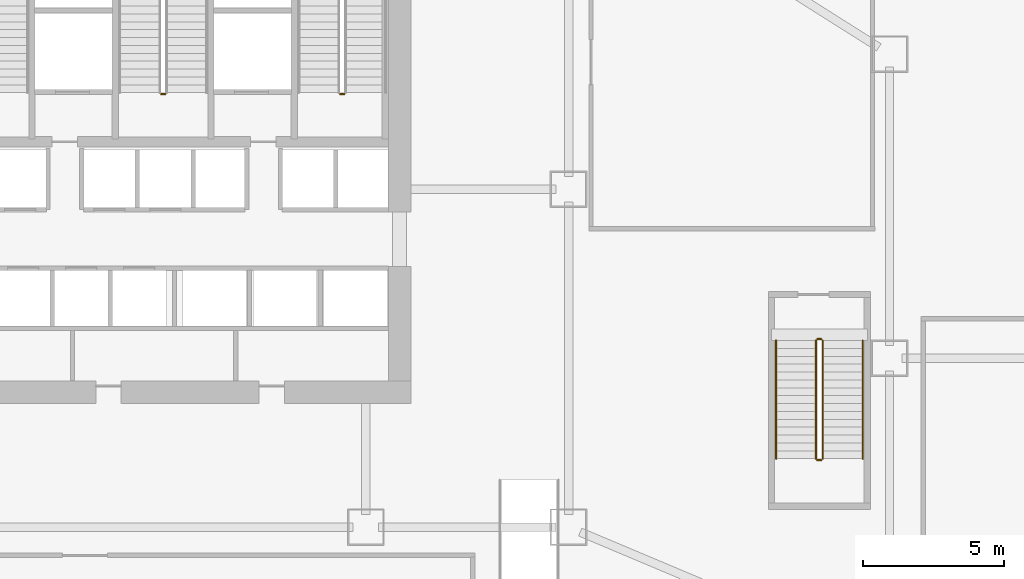
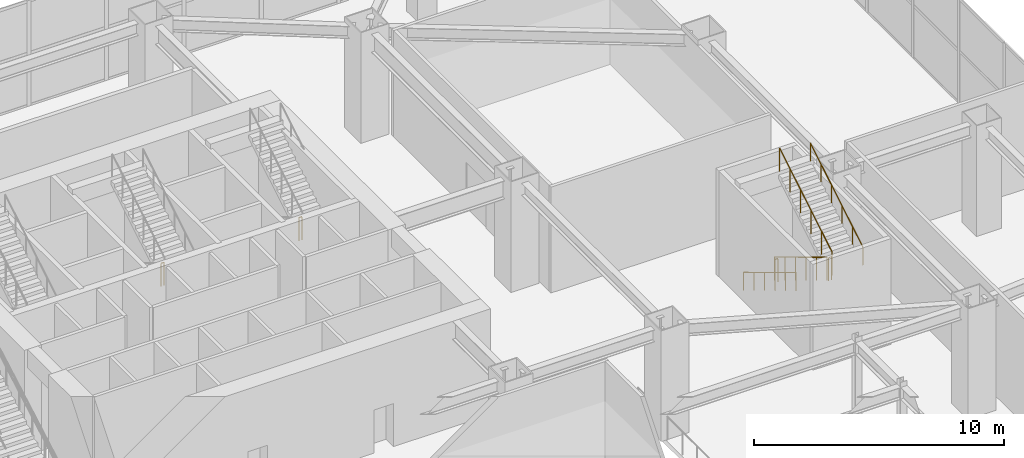
# One storey, part 34 of 37: 8 railings.
"""IFC4 building model written with IfcOpenShell, lengths in metres."""

from ifc_helpers import new_model, si_unit, direction, frame, origin, origin_2d, place, context, subcontext, project, spatial, circle, extrude, material, type_object, element, save


model = new_model("IFC4")

# Units and contexts
model_context = context("Model", 3, precision=1e-05, world=origin(), true_north=direction((0.0, 1.0)))
body_context = subcontext(model_context, "Body", "Model", "MODEL_VIEW")
ifc_project = project(units=[si_unit("LENGTHUNIT", "METRE"), si_unit("AREAUNIT", "SQUARE_METRE"), si_unit("VOLUMEUNIT", "CUBIC_METRE"), si_unit("PLANEANGLEUNIT", "RADIAN"), si_unit("MASSUNIT", "GRAM", prefix="KILO")], contexts=[model_context])

# Site, building, storey
site_placement = place(None, origin())
site = spatial("IfcSite", under=ifc_project, at=site_placement, CompositionType="ELEMENT")
building_placement = place(site_placement, origin())
building = spatial("IfcBuilding", under=site, at=building_placement, Name="Haolan Belvedere Tower", CompositionType="ELEMENT")
storey_placement = place(building_placement, frame((0.0, 0.0, 10.199951171875)))
storey = spatial("IfcBuildingStorey", under=building, at=storey_placement, Name="L02", CompositionType="ELEMENT", Elevation=10.199951171875)

# Railings
ifc_material = material(Name="Brushed stainless steel 304", Category="steel")
railing_type_1 = type_object("IfcRailingType", Name="RL-STAIR-GRD-1150", PredefinedType="GUARDRAIL", material=ifc_material)
railing_1_placement = place(storey_placement, frame((38.330078125, 36.97998046875, 2.699951171875)))
element("IfcRailing", 1, at=railing_1_placement, inside=storey, type_object=railing_type_1, Name="L02 ST3 stair guard 2", PredefinedType="GUARDRAIL", context=body_context, shape_type="SweptSolid", body=[
    extrude(circle(Radius=0.02392578125, at=origin_2d()), frame((0.0, 0.0, 1.1259765625), z_axis=(1.0, 0.0, 0.0), x_axis=(0.0, 1.0, 0.0)), (0.0, 0.0, 1.0), 0.139892578125),
    extrude(circle(Radius=0.02099609375, at=origin_2d()), origin(), (0.0, 0.0, 1.0), 1.101806640625),
    extrude(circle(Radius=0.02099609375, at=origin_2d()), frame((0.139892578125, 0.0, 0.0)), (0.0, 0.0, 1.0), 1.101806640625),
])
railing_2_placement = place(storey_placement, frame((44.68994140625, 36.97998046875, 2.699951171875)))
element("IfcRailing", 2, at=railing_2_placement, inside=storey, type_object=railing_type_1, Name="L02 ST2 stair guard 2", PredefinedType="GUARDRAIL", context=body_context, shape_type="SweptSolid", body=[
    extrude(circle(Radius=0.02392578125, at=origin_2d()), frame((0.0, 0.0, 1.1259765625), z_axis=(1.0, 0.0, 0.0), x_axis=(0.0, 1.0, 0.0)), (0.0, 0.0, 1.0), 0.14013671875),
    extrude(circle(Radius=0.02099609375, at=origin_2d()), origin(), (0.0, 0.0, 1.0), 1.101806640625),
    extrude(circle(Radius=0.02099609375, at=origin_2d()), frame((0.14013671875, 0.0, 0.0)), (0.0, 0.0, 1.0), 1.101806640625),
])
railing_3_placement = place(storey_placement, frame((61.590087890625, 28.22998046875, 0.168701171875)))
element("IfcRailing", 3, at=railing_3_placement, inside=storey, type_object=railing_type_1, Name="L02 ST5 stair guard 1", PredefinedType="GUARDRAIL", context=body_context, shape_type="SweptSolid", body=[
    extrude(circle(Radius=0.02392578125, at=origin_2d()), frame((0.0, 0.0, 1.1259765625), z_axis=(0.0, -0.856476492594, 0.516186030065), x_axis=(1.0, 0.0, 0.0)), (0.0, 0.0, 1.0), 4.90380859375),
    extrude(circle(Radius=0.02099609375, at=origin_2d()), origin(), (0.0, 0.0, 1.0), 1.101806640625),
    extrude(circle(Radius=0.02099609375, at=origin_2d()), frame((0.0, -0.840087890625, 0.50634765625)), (0.0, 0.0, 1.0), 1.101806640625),
    extrude(circle(Radius=0.02099609375, at=origin_2d()), frame((0.0, -1.679931640625, 1.012451171875)), (0.0, 0.0, 1.0), 1.101806640625),
    extrude(circle(Radius=0.02099609375, at=origin_2d()), frame((0.0, -2.52001953125, 1.518798828125)), (0.0, 0.0, 1.0), 1.101806640625),
    extrude(circle(Radius=0.02099609375, at=origin_2d()), frame((0.0, -3.35986328125, 2.02490234375)), (0.0, 0.0, 1.0), 1.101806640625),
    extrude(circle(Radius=0.02099609375, at=origin_2d()), frame((0.0, -4.199951171875, 2.53125)), (0.0, 0.0, 1.0), 1.101806640625),
])
railing_4_placement = place(storey_placement, frame((61.639892578125, 23.97998046875, 2.699951171875)))
element("IfcRailing", 4, at=railing_4_placement, inside=storey, type_object=railing_type_1, Name="L02 ST5 stair guard 2", PredefinedType="GUARDRAIL", context=body_context, shape_type="SweptSolid", body=[
    extrude(circle(Radius=0.02392578125, at=origin_2d()), frame((0.0, 0.0, 1.1259765625), z_axis=(1.0, 0.0, 0.0), x_axis=(0.0, 1.0, 0.0)), (0.0, 0.0, 1.0), 0.14013671875),
    extrude(circle(Radius=0.02099609375, at=origin_2d()), origin(), (0.0, 0.0, 1.0), 1.101806640625),
    extrude(circle(Radius=0.02099609375, at=origin_2d()), frame((0.14013671875, 0.0, 0.0)), (0.0, 0.0, 1.0), 1.101806640625),
])
railing_5_placement = place(storey_placement, frame((61.830078125, 24.030029296875, 2.868896484375)))
element("IfcRailing", 5, at=railing_5_placement, inside=storey, type_object=railing_type_1, Name="L02 ST5 stair guard 3", PredefinedType="GUARDRAIL", context=body_context, shape_type="SweptSolid", body=[
    extrude(circle(Radius=0.02392578125, at=origin_2d()), frame((0.0, 0.0, 1.1259765625), z_axis=(0.0, 0.856476492594, 0.516186030065), x_axis=(-1.0, 0.0, 0.0)), (0.0, 0.0, 1.0), 4.90380859375),
    extrude(circle(Radius=0.02099609375, at=origin_2d()), origin(), (0.0, 0.0, 1.0), 1.101806640625),
    extrude(circle(Radius=0.02099609375, at=origin_2d()), frame((0.0, 0.840087890625, 0.50634765625)), (0.0, 0.0, 1.0), 1.101806640625),
    extrude(circle(Radius=0.02099609375, at=origin_2d()), frame((0.0, 1.679931640625, 1.012451171875)), (0.0, 0.0, 1.0), 1.101806640625),
    extrude(circle(Radius=0.02099609375, at=origin_2d()), frame((0.0, 2.52001953125, 1.518798828125)), (0.0, 0.0, 1.0), 1.101806640625),
    extrude(circle(Radius=0.02099609375, at=origin_2d()), frame((0.0, 3.35986328125, 2.02490234375)), (0.0, 0.0, 1.0), 1.101806640625),
    extrude(circle(Radius=0.02099609375, at=origin_2d()), frame((0.0, 4.199951171875, 2.53125)), (0.0, 0.0, 1.0), 1.101806640625),
])
railing_6_placement = place(storey_placement, frame((61.639892578125, 28.280029296875, 0.0)))
element("IfcRailing", 6, at=railing_6_placement, inside=storey, type_object=railing_type_1, Name="L02 ST5 stair guard 4", PredefinedType="GUARDRAIL", context=body_context, shape_type="SweptSolid", body=[
    extrude(circle(Radius=0.02392578125, at=origin_2d()), frame((0.0, 0.0, 1.1259765625), z_axis=(1.0, 0.0, 0.0), x_axis=(0.0, 1.0, 0.0)), (0.0, 0.0, 1.0), 0.14013671875),
    extrude(circle(Radius=0.02099609375, at=origin_2d()), origin(), (0.0, 0.0, 1.0), 1.101806640625),
    extrude(circle(Radius=0.02099609375, at=origin_2d()), frame((0.14013671875, 0.0, 0.0)), (0.0, 0.0, 1.0), 1.101806640625),
])
railing_type_2 = type_object("IfcRailingType", Name="RL-STAIR-HND-900", PredefinedType="HANDRAIL", material=ifc_material)
railing_7_placement = place(storey_placement, frame((60.169921875, 28.22998046875, 0.168701171875)))
element("IfcRailing", 7, at=railing_7_placement, inside=storey, type_object=railing_type_2, Name="L02 ST5 stair handrail 1", PredefinedType="HANDRAIL", context=body_context, shape_type="SweptSolid", body=[
    extrude(circle(Radius=0.02392578125, at=origin_2d()), frame((0.0, 0.0, 0.8759765625), z_axis=(0.0, -0.856476492594, 0.516186030065), x_axis=(1.0, 0.0, 0.0)), (0.0, 0.0, 1.0), 4.90380859375),
    extrude(circle(Radius=0.02099609375, at=origin_2d()), origin(), (0.0, 0.0, 1.0), 0.851806640625),
    extrude(circle(Radius=0.02099609375, at=origin_2d()), frame((0.0, -0.840087890625, 0.50634765625)), (0.0, 0.0, 1.0), 0.851806640625),
    extrude(circle(Radius=0.02099609375, at=origin_2d()), frame((0.0, -1.679931640625, 1.012451171875)), (0.0, 0.0, 1.0), 0.851806640625),
    extrude(circle(Radius=0.02099609375, at=origin_2d()), frame((0.0, -2.52001953125, 1.518798828125)), (0.0, 0.0, 1.0), 0.851806640625),
    extrude(circle(Radius=0.02099609375, at=origin_2d()), frame((0.0, -3.35986328125, 2.02490234375)), (0.0, 0.0, 1.0), 0.851806640625),
    extrude(circle(Radius=0.02099609375, at=origin_2d()), frame((0.0, -4.199951171875, 2.53125)), (0.0, 0.0, 1.0), 0.851806640625),
])
railing_8_placement = place(storey_placement, frame((63.25, 24.030029296875, 2.868896484375)))
element("IfcRailing", 8, at=railing_8_placement, inside=storey, type_object=railing_type_2, Name="L02 ST5 stair handrail 2", PredefinedType="HANDRAIL", context=body_context, shape_type="SweptSolid", body=[
    extrude(circle(Radius=0.02392578125, at=origin_2d()), frame((0.0, 0.0, 0.8759765625), z_axis=(0.0, 0.856476492594, 0.516186030065), x_axis=(-1.0, 0.0, 0.0)), (0.0, 0.0, 1.0), 4.90380859375),
    extrude(circle(Radius=0.02099609375, at=origin_2d()), origin(), (0.0, 0.0, 1.0), 0.851806640625),
    extrude(circle(Radius=0.02099609375, at=origin_2d()), frame((0.0, 0.840087890625, 0.50634765625)), (0.0, 0.0, 1.0), 0.851806640625),
    extrude(circle(Radius=0.02099609375, at=origin_2d()), frame((0.0, 1.679931640625, 1.012451171875)), (0.0, 0.0, 1.0), 0.851806640625),
    extrude(circle(Radius=0.02099609375, at=origin_2d()), frame((0.0, 2.52001953125, 1.518798828125)), (0.0, 0.0, 1.0), 0.851806640625),
    extrude(circle(Radius=0.02099609375, at=origin_2d()), frame((0.0, 3.35986328125, 2.02490234375)), (0.0, 0.0, 1.0), 0.851806640625),
    extrude(circle(Radius=0.02099609375, at=origin_2d()), frame((0.0, 4.199951171875, 2.53125)), (0.0, 0.0, 1.0), 0.851806640625),
])

save(model, "model.ifc")
